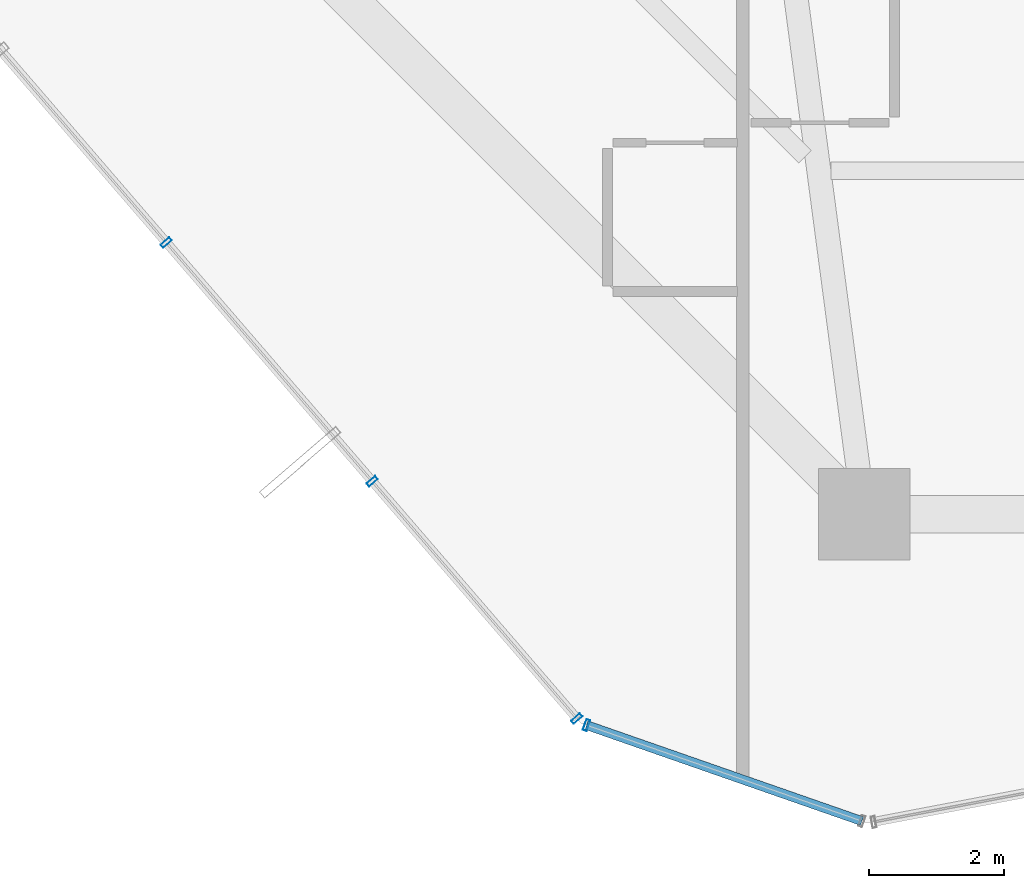
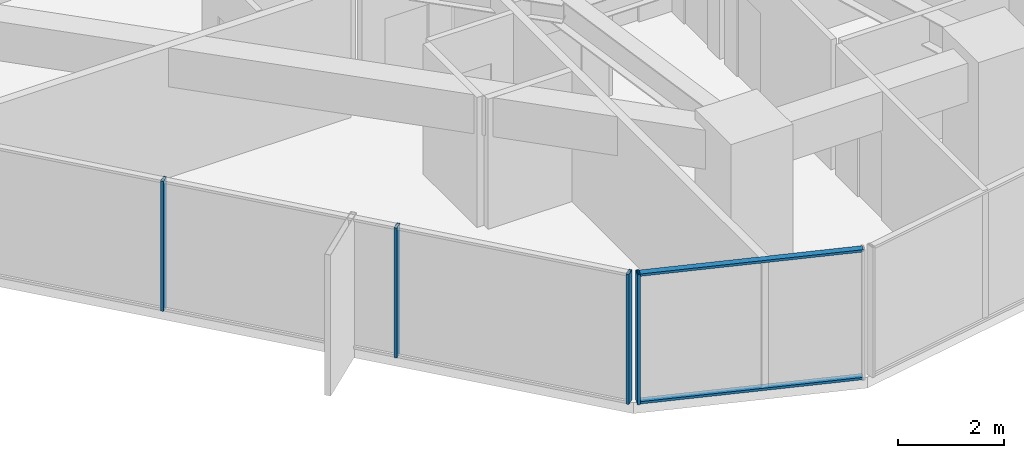
# One storey, part 2 of 38: 6 members, 2 elements without a shape of their own.
"""IFC4 building model written with IfcOpenShell, lengths in metres."""

from ifc_helpers import new_model, si_unit, direction, frame, origin, origin_2d, place, context, subcontext, project, spatial, hollow_rectangle, extrude, source, transform, mapped, material, layer, layer_set, material_profile, profile_set, type_object, element, aggregate, save


model = new_model("IFC4")

# Units and contexts
model_context = context("Model", 3, precision=1e-05, world=origin(), true_north=direction((0.0, 1.0)))
body_context = subcontext(model_context, "Body", "Model", "MODEL_VIEW")
ifc_project = project(units=[si_unit("LENGTHUNIT", "METRE"), si_unit("AREAUNIT", "SQUARE_METRE"), si_unit("VOLUMEUNIT", "CUBIC_METRE"), si_unit("PLANEANGLEUNIT", "RADIAN"), si_unit("MASSUNIT", "GRAM", prefix="KILO")], contexts=[model_context])

# Site, building, storey
site_placement = place(None, origin())
site = spatial("IfcSite", under=ifc_project, at=site_placement, CompositionType="ELEMENT")
building_placement = place(site_placement, origin())
building = spatial("IfcBuilding", under=site, at=building_placement, Name="Veraguas Prism Commons", CompositionType="ELEMENT")
storey_placement = place(building_placement, frame((0.0, 0.0, 60.85009765625)))
storey = spatial("IfcBuildingStorey", under=building, at=storey_placement, Name="L16", CompositionType="ELEMENT", Elevation=60.85009765625)

# Curtain wall, members
ifc_material = material(Name="Anodised aluminium EN AW-6063 T6", Category="aluminium")
ifc_layer = layer(ifc_material, 0.169921875, Name="Unitised Flush Curtain Wall Zone 1", Category="aluminium")
ifc_layer_set = layer_set([ifc_layer], Name="Anodised aluminium EN AW-6063 T6")
curtain_wall_type = type_object("IfcCurtainWallType", Name="Unitised Flush Curtain Wall Zone 1", PredefinedType="NOTDEFINED", material=ifc_layer_set)
curtain_wall_1_placement = place(storey_placement, origin())
curtain_wall_1 = element("IfcCurtainWall", 1, at=curtain_wall_1_placement, inside=storey, type_object=curtain_wall_type, Name="Chamfer Curtain Wall L16-C5", PredefinedType="NOTDEFINED")
ifc_material_profile_1 = material_profile(ifc_material, hollow_rectangle(XDim=0.054931640625, YDim=0.135009765625, WallThickness=0.0029296875, at=origin_2d()), Name="AL55X135X3")
ifc_profile_set_1 = profile_set([ifc_material_profile_1], Name="Anodised aluminium EN AW-6063 T6")
member_type_1 = type_object("IfcMemberType", Name="Curtain Wall Transom Standard AL 55x135x3", PredefinedType="USERDEFINED", material=ifc_profile_set_1)
shared_shape_1 = source(origin(), body_context, "Body", "SweptSolid", [
    extrude(hollow_rectangle(XDim=0.054931640625, YDim=0.135009765625, WallThickness=0.0029296875, at=origin_2d()), origin(), (0.0, 0.0, 1.0), 4.31982421875),
])
member_1_placement = place(storey_placement, frame((14.4873046875, 3.275390625, 0.02734375), z_axis=(0.944259433764, -0.329202250519, 0.0), x_axis=(0.0, 0.0, 1.0)))
member_1 = element("IfcMember", 2, at=member_1_placement, type_object=member_type_1, Name="CW-Z1 Transom 1", ObjectType="TRANSOM", PredefinedType="USERDEFINED", context=body_context, shape_type="MappedRepresentation", body=[
    mapped(shared_shape_1, transform((0.0, 0.0, 0.0), scale=1.0)),
])
member_2_placement = place(storey_placement, frame((14.4873046875, 3.275390625, 2.972412109375), z_axis=(0.944259433764, -0.329202250519, 0.0), x_axis=(0.0, 0.0, 1.0)))
member_2 = element("IfcMember", 3, at=member_2_placement, type_object=member_type_1, Name="CW-Z1 Transom 2", ObjectType="TRANSOM", PredefinedType="USERDEFINED", context=body_context, shape_type="MappedRepresentation", body=[
    mapped(shared_shape_1, transform((0.0, 0.0, 0.0), scale=1.0)),
])

curtain_wall_2_placement = place(storey_placement, origin())
curtain_wall_2 = element("IfcCurtainWall", 4, at=curtain_wall_2_placement, inside=storey, type_object=curtain_wall_type, Name="Tower Facade Curtain Wall L16-F4", PredefinedType="NOTDEFINED")
ifc_material_profile_2 = material_profile(ifc_material, hollow_rectangle(XDim=0.06005859375, YDim=0.169921875, WallThickness=0.00390625, at=origin_2d()), Name="AL60X170X4")
ifc_profile_set_2 = profile_set([ifc_material_profile_2], Name="Anodised aluminium EN AW-6063 T6")
member_type_2 = type_object("IfcMemberType", Name="Curtain Wall Mullion Lower AL 60x170x4", PredefinedType="MULLION", material=ifc_profile_set_2)
shared_shape_2 = source(origin(), body_context, "Body", "SweptSolid", [
    extrude(hollow_rectangle(XDim=0.06005859375, YDim=0.169921875, WallThickness=0.00390625, at=origin_2d()), origin(), (0.0, 0.0, 1.0), 3.0),
])
member_3_placement = place(storey_placement, frame((8.261474609375, 10.42431640625, 0.0), z_axis=(0.0, 0.0, 1.0), x_axis=(0.653149715021, -0.757228796182, 0.0)))
member_3 = element("IfcMember", 5, at=member_3_placement, type_object=member_type_2, Name="CW-Z1 Mullion 3", PredefinedType="MULLION", context=body_context, shape_type="MappedRepresentation", body=[
    mapped(shared_shape_2, transform((0.0, 0.0, 0.0), scale=1.0)),
])
member_4_placement = place(storey_placement, frame((11.312255859375, 6.887451171875, 0.0), z_axis=(0.0, 0.0, 1.0), x_axis=(0.653149715021, -0.757228796182, 0.0)))
member_4 = element("IfcMember", 6, at=member_4_placement, type_object=member_type_2, Name="CW-Z1 Mullion 4", PredefinedType="MULLION", context=body_context, shape_type="MappedRepresentation", body=[
    mapped(shared_shape_2, transform((0.0, 0.0, 0.0), scale=1.0)),
])
member_5_placement = place(storey_placement, frame((14.343505859375, 3.373046875, 0.0), z_axis=(0.0, 0.0, 1.0), x_axis=(0.653149715021, -0.757228796182, 0.0)))
member_5 = element("IfcMember", 7, at=member_5_placement, type_object=member_type_2, Name="CW-Z1 Mullion 5", PredefinedType="MULLION", context=body_context, shape_type="MappedRepresentation", body=[
    mapped(shared_shape_2, transform((0.0, 0.0, 0.0), scale=1.0)),
])
aggregate(curtain_wall_2, [member_3, member_4, member_5])

# Member
member_6_placement = place(storey_placement, frame((14.4873046875, 3.275390625, 0.0), z_axis=(0.0, 0.0, 1.0), x_axis=(0.944272432632, -0.329164963158, 0.0)))
member_6 = element("IfcMember", 8, at=member_6_placement, type_object=member_type_2, Name="CW-Z1 Mullion 1", PredefinedType="MULLION", context=body_context, shape_type="MappedRepresentation", body=[
    mapped(shared_shape_2, transform((0.0, 0.0, 0.0), scale=1.0)),
])

aggregate(curtain_wall_1, [member_6, member_1, member_2])

save(model, "model.ifc")
